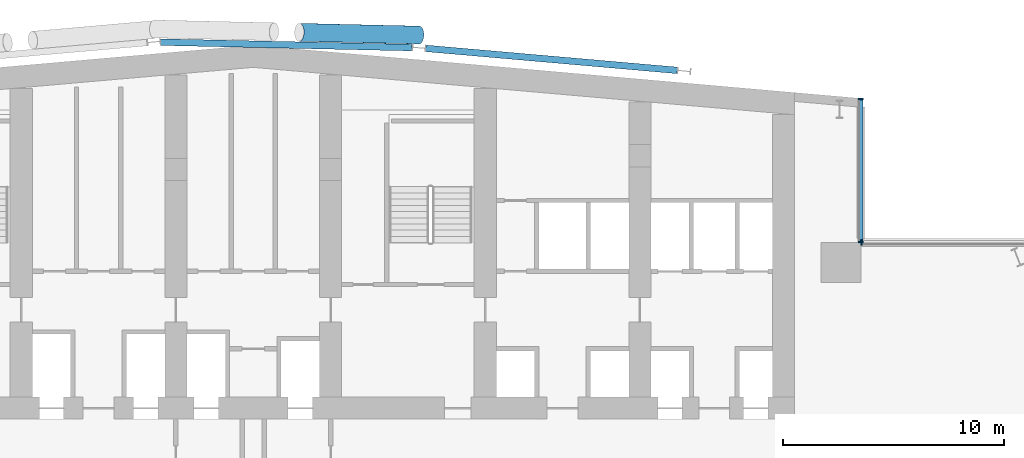
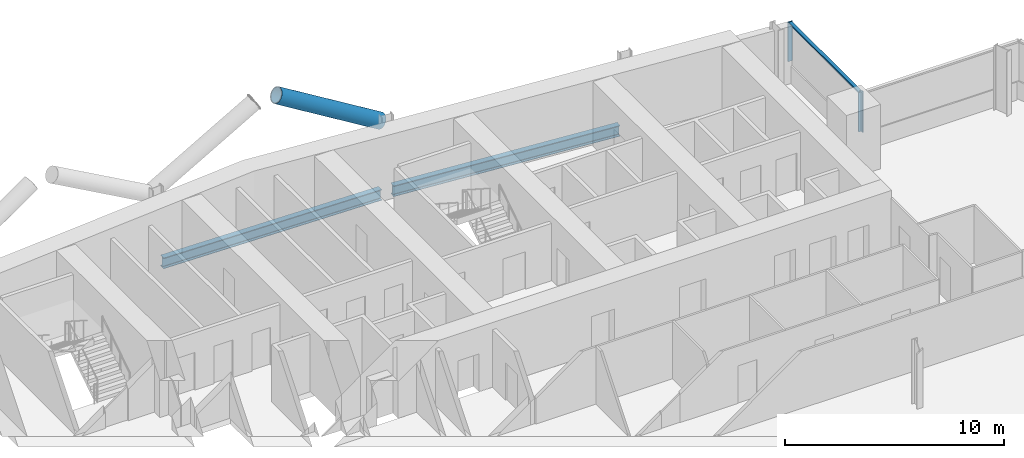
# One storey, part 9 of 30: 5 members, 2 beams, 2 elements without a shape of their own.
"""IFC4 building model written with IfcOpenShell, lengths in metres."""

from ifc_helpers import new_model, si_unit, direction, frame, origin, origin_2d, place, context, subcontext, project, spatial, rectangle, hollow_circle, i_section, extrude, material, material_profile, profile_set, type_object, element, aggregate, save


model = new_model("IFC4")

# Units and contexts
model_context = context("Model", 3, precision=1e-05, world=origin(), true_north=direction((0.0, 1.0)))
body_context = subcontext(model_context, "Body", "Model", "MODEL_VIEW")
ifc_project = project(units=[si_unit("LENGTHUNIT", "METRE"), si_unit("AREAUNIT", "SQUARE_METRE"), si_unit("VOLUMEUNIT", "CUBIC_METRE"), si_unit("PLANEANGLEUNIT", "RADIAN"), si_unit("MASSUNIT", "GRAM", prefix="KILO")], contexts=[model_context])

# Site, building, storey
site_placement = place(None, origin())
site = spatial("IfcSite", under=ifc_project, at=site_placement, CompositionType="ELEMENT")
building_placement = place(site_placement, origin())
building = spatial("IfcBuilding", under=site, at=building_placement, Name="Wharfspan Tower", CompositionType="ELEMENT")
storey_placement = place(building_placement, frame((0.0, 0.0, 107.5)))
storey = spatial("IfcBuildingStorey", under=building, at=storey_placement, Name="L24", CompositionType="ELEMENT", Elevation=107.5)

# Beams
ifc_material_1 = material(Name="Steel S355J2", Category="steel")
ifc_material_profile_1 = material_profile(ifc_material_1, i_section(OverallWidth=0.300049, OverallDepth=0.600098, WebThickness=0.015381, FlangeThickness=0.030029, FilletRadius=0.0271, at=origin_2d()))
ifc_profile_set_1 = profile_set([ifc_material_profile_1], Name="Steel S355J2")
beam_type = type_object("IfcBeamType", Name="Edge beam HEB 600", PredefinedType="SPANDREL", material=ifc_profile_set_1)
beam_1_placement = place(storey_placement, frame((59.695068, 49.791504, -0.699951), z_axis=(-0.996194, 0.087162, 0.0), x_axis=(-0.087162, -0.996194, 0.0)))
element("IfcBeam", 1, at=beam_1_placement, inside=storey, type_object=beam_type, Name="Edge beam N2 L24 R.4 to R.3", PredefinedType="SPANDREL", context=body_context, shape_type="SweptSolid", body=[
    extrude(i_section(OverallWidth=0.300049, OverallDepth=0.600098, WebThickness=0.015381, FlangeThickness=0.030029, FilletRadius=0.0271, at=origin_2d()), origin(), (0.0, 0.0, 1.0), 11.433594),
])
beam_2_placement = place(storey_placement, frame((36.307861, 51.070557, -0.699951), z_axis=(0.99976, -0.021888, 0.0), x_axis=(0.021888, 0.99976, 0.0)))
element("IfcBeam", 2, at=beam_2_placement, inside=storey, type_object=beam_type, Name="Edge beam L24 R.2 to R.3", PredefinedType="SPANDREL", context=body_context, shape_type="SweptSolid", body=[
    extrude(i_section(OverallWidth=0.300049, OverallDepth=0.600098, WebThickness=0.015381, FlangeThickness=0.030029, FilletRadius=0.0271, at=origin_2d()), origin(), (0.0, 0.0, 1.0), 11.388184),
])

# Curtain wall, member
ifc_material_2 = material(Name="Aluminium 6063-T6", Category="aluminium")
curtain_wall_type = type_object("IfcCurtainWallType", Name="CURTAIN WALL PROW AND END", PredefinedType="NOTDEFINED", material=ifc_material_2)
curtain_wall_1_placement = place(storey_placement, origin())
curtain_wall_1 = element("IfcCurtainWall", 3, at=curtain_wall_1_placement, inside=storey, type_object=curtain_wall_type, Name="Curtain wall NRE-H", PredefinedType="NOTDEFINED")
ifc_material_profile_2 = material_profile(ifc_material_2, rectangle(XDim=0.23999, YDim=0.060059, at=origin_2d()))
ifc_profile_set_2 = profile_set([ifc_material_profile_2], Name="Aluminium 6063-T6")
member_type_1 = type_object("IfcMemberType", Name="MULLION PROW AND END 60x240", PredefinedType="MULLION", material=ifc_profile_set_2)
member_1_placement = place(storey_placement, frame((68.030029, 42.0, 1.0), z_axis=(0.0, 0.0, 1.0), x_axis=(0.0, -1.0, 0.0)))
member_1 = element("IfcMember", 4, at=member_1_placement, type_object=member_type_1, Name="Curtain wall NRE-H mullion 2", PredefinedType="MULLION", context=body_context, shape_type="SweptSolid", body=[
    extrude(rectangle(XDim=0.23999, YDim=0.060059, at=origin_2d()), origin(), (0.0, 0.0, 1.0), 2.199951),
])
aggregate(curtain_wall_1, [member_1])

# Curtain wall, members
curtain_wall_2_placement = place(storey_placement, origin())
curtain_wall_2 = element("IfcCurtainWall", 5, at=curtain_wall_2_placement, inside=storey, type_object=curtain_wall_type, Name="Curtain wall NRE-V", PredefinedType="NOTDEFINED")
member_2_placement = place(storey_placement, frame((68.0, 42.030029, 1.0), z_axis=(0.0, 0.0, 1.0), x_axis=(-1.0, 0.0, 0.0)))
member_2 = element("IfcMember", 6, at=member_2_placement, type_object=member_type_1, Name="Curtain wall NRE-V mullion 1", PredefinedType="MULLION", context=body_context, shape_type="SweptSolid", body=[
    extrude(rectangle(XDim=0.23999, YDim=0.060059, at=origin_2d()), origin(), (0.0, 0.0, 1.0), 2.199951),
])
member_3_placement = place(storey_placement, frame((68.0, 48.494873, 1.0), z_axis=(0.0, 0.0, 1.0), x_axis=(-1.0, 0.0, 0.0)))
member_3 = element("IfcMember", 7, at=member_3_placement, type_object=member_type_1, Name="Curtain wall NRE-V mullion 2", PredefinedType="MULLION", context=body_context, shape_type="SweptSolid", body=[
    extrude(rectangle(XDim=0.23999, YDim=0.060059, at=origin_2d()), origin(), (0.0, 0.0, 1.0), 2.199951),
])

# Member
ifc_material_3 = material(Name="Steel S460NH", Category="steel")
ifc_material_profile_3 = material_profile(ifc_material_3, hollow_circle(Radius=0.406494, WallThickness=0.040039, at=origin_2d()))
ifc_profile_set_3 = profile_set([ifc_material_profile_3], Name="Steel S460NH")
member_type_2 = type_object("IfcMemberType", Name="Mega brace CHS 813x40", PredefinedType="BRACE", material=ifc_profile_set_3)
member_4_placement = place(storey_placement, frame((48.012695, 51.390381, 2.899902), z_axis=(-0.857327, 0.019686, 0.514396), x_axis=(-0.022956, -0.999736, 0.0)))
element("IfcMember", 8, at=member_4_placement, inside=storey, type_object=member_type_2, Name="Mega brace N7 L25 part 3", PredefinedType="BRACE", context=body_context, shape_type="SweptSolid", body=[
    extrude(hollow_circle(Radius=0.406494, WallThickness=0.040039, at=origin_2d()), origin(), (0.0, 0.0, 1.0), 6.324707),
])

ifc_material_profile_4 = material_profile(ifc_material_2, rectangle(XDim=0.179932, YDim=0.080078, at=origin_2d()))
ifc_profile_set_4 = profile_set([ifc_material_profile_4], Name="Aluminium 6063-T6")
member_type_3 = type_object("IfcMemberType", Name="TRANSOM PROW AND END 80x180", PredefinedType="USERDEFINED", material=ifc_profile_set_4)
member_5_placement = place(storey_placement, frame((68.0, 42.060059, 3.159912), z_axis=(0.0, 1.0, 0.0), x_axis=(-1.0, 0.0, 0.0)))
member_5 = element("IfcMember", 9, at=member_5_placement, type_object=member_type_3, Name="Curtain wall NRE-V transom 1", ObjectType="TRANSOM", PredefinedType="USERDEFINED", context=body_context, shape_type="SweptSolid", body=[
    extrude(rectangle(XDim=0.179932, YDim=0.080078, at=origin_2d()), origin(), (0.0, 0.0, 1.0), 6.404785),
])

aggregate(curtain_wall_2, [member_2, member_3, member_5])

save(model, "model.ifc")
